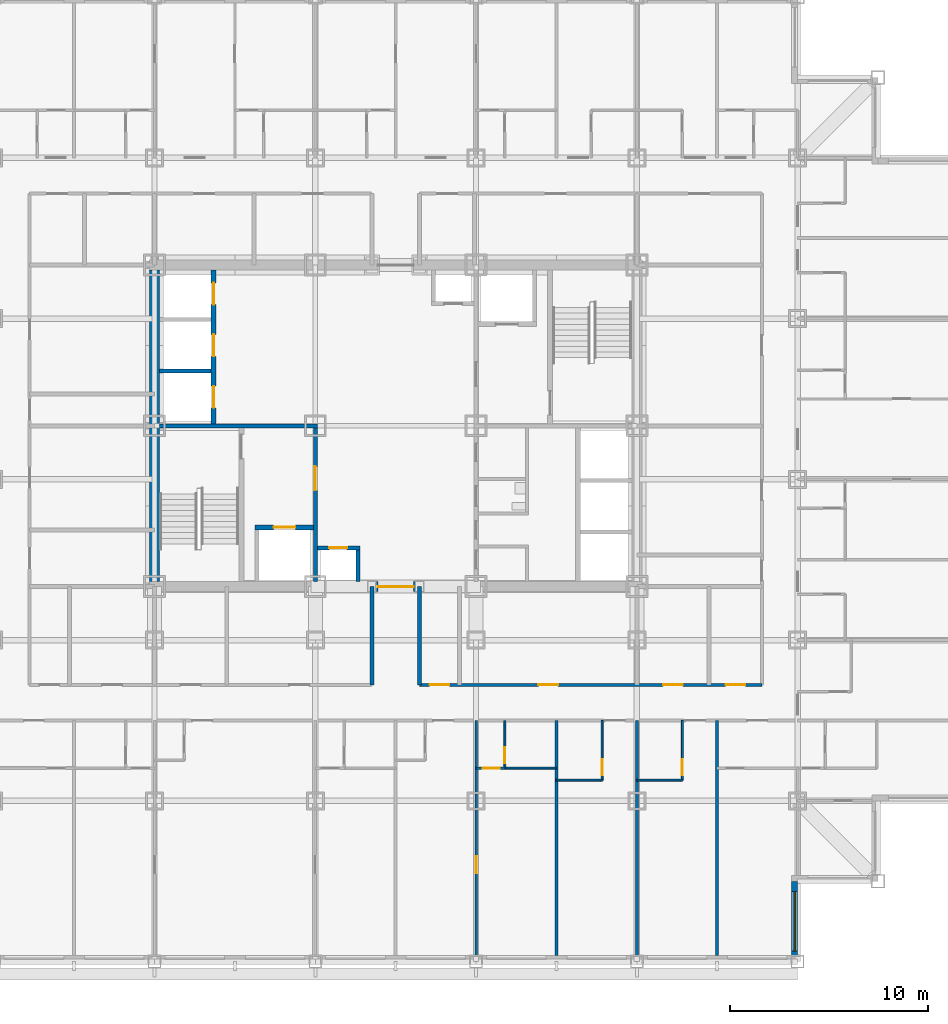
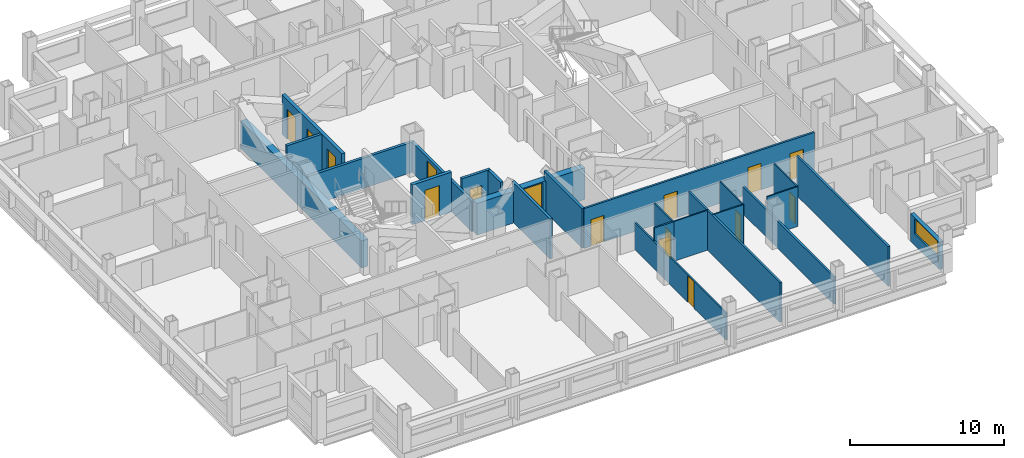
# One storey, part 7 of 15: 24 walls, 16 doors, 1 window, 17 openings.
"""IFC4 building model written with IfcOpenShell, lengths in metres."""

import ifcopenshell
import ifcopenshell.guid

model = None  # the IFC model being written
_history = None  # IfcOwnerHistory: only IFC2X3 demands one
_inside = {}  # id of a spatial element -> (the spatial element, [elements in it])
_under = {}  # id of a project, library or spatial element -> (it, [spatial elements below it])
_declared = {}  # id of a project -> (the project, [libraries it declares])
_typed = {}  # id of a type object -> (the type object, [elements of that type])
_made_of = {}  # id of a material, layer set ... -> (it, [elements and type objects made of it])


def new_model(schema):
    """Start an empty IFC model of exactly this schema.

    Asked for "IFC4X3", IfcOpenShell would pick the latest addendum, in which some entities
    have other attributes; the version numbers below select the first issue.
    IFC2X3 requires an IfcOwnerHistory on every rooted entity: one is made here for all.
    """
    global model, _history
    if schema == "IFC4X3":
        model = ifcopenshell.file(schema_version=(4, 3, 0, 0))
    else:
        model = ifcopenshell.file(schema=schema)
    _inside.clear()
    _under.clear()
    _declared.clear()
    _typed.clear()
    _made_of.clear()
    _history = None
    if model.schema == "IFC2X3":
        org = make("IfcOrganization", Name="unknown")
        user = make(
            "IfcPersonAndOrganization",
            ThePerson=make("IfcPerson", FamilyName="unknown"),
            TheOrganization=org,
        )
        app = make(
            "IfcApplication",
            ApplicationDeveloper=org,
            Version="unknown",
            ApplicationFullName="unknown",
            ApplicationIdentifier="unknown",
        )
        _history = make(
            "IfcOwnerHistory",
            OwningUser=user,
            OwningApplication=app,
            ChangeAction="ADDED",
            CreationDate=0,
        )
    return model


def make(cls, **values):
    """One entity of the class cls with the attributes given. An attribute that is None is left unset."""
    return model.create_entity(
        cls, **{name: value for name, value in values.items() if value is not None}
    )


def rooted(cls, **values):
    """An entity with a GlobalId (a new one), such as an element, a storey or a relation."""
    return make(cls, GlobalId=ifcopenshell.guid.new(), OwnerHistory=_history, **values)


def si_unit(unit_type, name, prefix=None):
    """IfcSIUnit, for example si_unit("LENGTHUNIT", "METRE", prefix="MILLI")."""
    return make("IfcSIUnit", UnitType=unit_type, Prefix=prefix, Name=name)


def assignment(units):
    """IfcUnitAssignment: the units of a project."""
    return None if units is None else make("IfcUnitAssignment", Units=units)


def point(xyz):
    """IfcCartesianPoint."""
    return None if xyz is None else make("IfcCartesianPoint", Coordinates=xyz)


def direction(xyz):
    """IfcDirection."""
    return None if xyz is None else make("IfcDirection", DirectionRatios=xyz)


def frame(location, z_axis=None, x_axis=None):
    """IfcAxis2Placement3D, a coordinate frame: its origin and axes. An axis left out is left unset."""
    return make(
        "IfcAxis2Placement3D",
        Location=point(location),
        Axis=direction(z_axis),
        RefDirection=direction(x_axis),
    )


def frame_2d(location, x_axis=None):
    """IfcAxis2Placement2D, a coordinate frame in the plane: its origin and x axis."""
    return make(
        "IfcAxis2Placement2D", Location=point(location), RefDirection=direction(x_axis)
    )


def origin():
    """The frame at (0, 0, 0) with its axes left unset."""
    return frame((0.0, 0.0, 0.0))


def place(relative_to, where):
    """IfcLocalPlacement: puts the frame where relative to a parent placement (None: the world)."""
    return make(
        "IfcLocalPlacement", PlacementRelTo=relative_to, RelativePlacement=where
    )


def context(
    kind, dimensions, precision=None, world=None, true_north=None, identifier=None
):
    """IfcGeometricRepresentationContext, for example the 3D "Model" context."""
    return make(
        "IfcGeometricRepresentationContext",
        ContextIdentifier=identifier,
        ContextType=kind,
        CoordinateSpaceDimension=dimensions,
        Precision=precision,
        WorldCoordinateSystem=world,
        TrueNorth=true_north,
    )


def subcontext(parent, identifier, kind, view, scale=None):
    """IfcGeometricRepresentationSubContext, for example "Body" below "Model"."""
    return make(
        "IfcGeometricRepresentationSubContext",
        ContextIdentifier=identifier,
        ContextType=kind,
        ParentContext=parent,
        TargetScale=scale,
        TargetView=view,
    )


def project(units=None, contexts=None):
    """IfcProject with its units and contexts."""
    return rooted(
        "IfcProject",
        Name="project",
        RepresentationContexts=contexts,
        UnitsInContext=assignment(units),
    )


def spatial(cls, under=None, at=None, **own):
    """A site, building, storey or space (cls), placed at a placement, below another one or the project."""
    s = rooted(cls, ObjectPlacement=at, **own)
    if under is not None:
        _under.setdefault(under.id(), (under, []))[1].append(s)
    return s


def profile(cls, at=None, kind="AREA", **sizes):
    """A parametric profile (cls). Its sizes go by their IFC names, for example OverallWidth=200.0."""
    return make(cls, ProfileType=kind, Position=at, **sizes)


def rectangle(**sizes):
    """IfcRectangleProfileDef."""
    return profile("IfcRectangleProfileDef", **sizes)


def extrude(swept, where, along, depth):
    """IfcExtrudedAreaSolid: the profile swept, set in the frame where, extruded along a direction by depth."""
    return make(
        "IfcExtrudedAreaSolid",
        SweptArea=swept,
        Position=where,
        ExtrudedDirection=direction(along),
        Depth=depth,
    )


def shape(context_of_items, identifier, shape_type, items):
    """IfcShapeRepresentation: the items that make up one representation, for example the "Body"."""
    return make(
        "IfcShapeRepresentation",
        ContextOfItems=context_of_items,
        RepresentationIdentifier=identifier,
        RepresentationType=shape_type,
        Items=items,
    )


def material(Name=None, Category=None):
    """IfcMaterial."""
    return make("IfcMaterial", Name=Name, Category=Category)


def layer(
    of_material, thickness, ventilated=None, Name=None, Category=None, Priority=None
):
    """IfcMaterialLayer: one layer of a wall or slab, of a material (None: an air gap)."""
    return make(
        "IfcMaterialLayer",
        Material=of_material,
        LayerThickness=thickness,
        IsVentilated=ventilated,
        Name=Name,
        Category=Category,
        Priority=Priority,
    )


def layer_set(layers, Name=None):
    """IfcMaterialLayerSet."""
    return make("IfcMaterialLayerSet", MaterialLayers=layers, LayerSetName=Name)


def made_of(thing, what):
    """Note that an element or type object is made of a material, layer set ...; save() writes the relation."""
    if what is not None:
        _made_of.setdefault(what.id(), (what, []))[1].append(thing)
    return thing


def type_object(cls, material=None, **own):
    """A type object (cls), such as IfcWallType, which elements share."""
    return made_of(rooted(cls, **own), material)


def element(
    cls,
    number,
    at=None,
    inside=None,
    cuts=None,
    type_object=None,
    material=None,
    context=None,
    identifier="Body",
    shape_type=None,
    held_by="IfcProductDefinitionShape",
    body=None,
    shapes=None,
    **own,
):
    """One element of the class cls, such as IfcWall. Its Tag is "e" and its number.

    at: its placement. inside: the storey or other place that contains it. cuts: it is an
    opening in that element (IfcRelVoidsElement). A single representation is given by context,
    identifier, shape_type and body (its items); several are given by shapes. held_by: the class
    of the entity that holds the representations. save() writes the other relations.
    """
    e = rooted(cls, Tag="e%d" % number, ObjectPlacement=at, **own)
    if body is not None:
        shapes = [shape(context, identifier, shape_type, body)]
    if shapes is not None:
        e.Representation = make(held_by, Representations=shapes)
    if inside is not None:
        _inside.setdefault(inside.id(), (inside, []))[1].append(e)
    if cuts is not None:
        rooted(
            "IfcRelVoidsElement", RelatingBuildingElement=cuts, RelatedOpeningElement=e
        )
    if type_object is not None:
        _typed.setdefault(type_object.id(), (type_object, []))[1].append(e)
    return made_of(e, material)


def fill(opening, filler):
    """IfcRelFillsElement: the door or window that sits in an opening."""
    return rooted(
        "IfcRelFillsElement",
        RelatingOpeningElement=opening,
        RelatedBuildingElement=filler,
    )


def aggregate(whole, parts):
    """IfcRelAggregates: a whole, such as a stair, and the parts it consists of."""
    return rooted("IfcRelAggregates", RelatingObject=whole, RelatedObjects=parts)


def save(model, path):
    """Write the relations noted so far, then the file.

    IfcRelAggregates (storeys below a building ...), IfcRelContainedInSpatialStructure (elements
    in a storey), IfcRelDefinesByType, IfcRelAssociatesMaterial and IfcRelDeclares: one each for
    every whole, place, type object, material and project.
    """
    for whole, parts in _under.values():
        aggregate(whole, parts)
    for where, things in _inside.values():
        rooted(
            "IfcRelContainedInSpatialStructure",
            RelatedElements=things,
            RelatingStructure=where,
        )
    for kind, things in _typed.values():
        rooted("IfcRelDefinesByType", RelatedObjects=things, RelatingType=kind)
    for what, things in _made_of.values():
        rooted("IfcRelAssociatesMaterial", RelatedObjects=things, RelatingMaterial=what)
    for by, libraries in _declared.values():
        rooted("IfcRelDeclares", RelatingContext=by, RelatedDefinitions=libraries)
    model.write(path)


model = new_model("IFC4")

# Units and contexts
model_context = context("Model", 3, precision=1e-05, world=origin(), true_north=direction((0.0, 1.0)))
body_context = subcontext(model_context, "Body", "Model", "MODEL_VIEW")
ifc_project = project(units=[si_unit("LENGTHUNIT", "METRE"), si_unit("AREAUNIT", "SQUARE_METRE"), si_unit("VOLUMEUNIT", "CUBIC_METRE"), si_unit("PLANEANGLEUNIT", "RADIAN"), si_unit("MASSUNIT", "GRAM", prefix="KILO")], contexts=[model_context])

# Site, building, storey
site_placement = place(None, origin())
site = spatial("IfcSite", under=ifc_project, at=site_placement, CompositionType="ELEMENT")
building_placement = place(site_placement, origin())
building = spatial("IfcBuilding", under=site, at=building_placement, Name="Kopane Lantern Tower", CompositionType="ELEMENT")
storey_placement = place(building_placement, frame((0.0, 0.0, 154.39990234375)))
storey = spatial("IfcBuildingStorey", under=building, at=storey_placement, Name="L40", CompositionType="ELEMENT", Elevation=154.39990234375)

# Wall, opening, door
ifc_material_1 = material(Name="Gypsum board on steel studs", Category="steel")
ifc_layer_1 = layer(ifc_material_1, 0.1201171875)
ifc_layer_set_1 = layer_set([ifc_layer_1], Name="APARTMENT INTERNAL WALL 120")
wall_type_1 = type_object("IfcWallType", Name="APARTMENT INTERNAL WALL 120", PredefinedType="PARTITIONING", material=ifc_layer_set_1)
wall_1_placement = place(storey_placement, frame((32.39990234375, 17.550048828125, 0.0), z_axis=(0.0, 0.0, 1.0), x_axis=(0.0, -1.0, 0.0)))
wall_1 = element("IfcWall", 1, at=wall_1_placement, inside=storey, type_object=wall_type_1, Name="Apartment Internal Wall 120 L40", PredefinedType="PARTITIONING", context=body_context, shape_type="SweptSolid", body=[
    extrude(rectangle(XDim=11.85009765625, YDim=0.1201171875, at=frame_2d((5.925048828125, 0.0))), origin(), (0.0, 0.0, 1.0), 2.150146484375),
])
opening_1_placement = place(wall_1_placement, frame((6.85009765625, 0.0, 0.0)))
opening_1 = element("IfcOpeningElement", 2, at=opening_1_placement, cuts=wall_1, Name="Opening L40-032", PredefinedType="OPENING", context=body_context, shape_type="SweptSolid", body=[
    extrude(rectangle(XDim=0.85009765625, YDim=2.10009765625, at=frame_2d((0.425048828125, 1.050048828125))), frame((0.0, 0.070068359375, 0.0), z_axis=(0.0, -1.0, 0.0), x_axis=(1.0, 0.0, 0.0)), (0.0, 0.0, 1.0), 0.14013671875),
])
ifc_material_2 = material(Name="Timber door set", Category="wood")
door_type_1 = type_object("IfcDoorType", Name="DOOR D4 850x2100", OperationType="SINGLE_SWING_LEFT", PredefinedType="DOOR", material=ifc_material_2)
door_1_placement = place(opening_1_placement, origin())
door_1 = element("IfcDoor", 3, at=door_1_placement, inside=storey, type_object=door_type_1, Name="Door L40-032", OperationType="SINGLE_SWING_LEFT", OverallHeight=2.10009765625, OverallWidth=0.85009765625, PredefinedType="DOOR", context=body_context, shape_type="SweptSolid", body=[
    extrude(rectangle(XDim=0.85009765625, YDim=2.10009765625, at=frame_2d((0.425048828125, 1.050048828125))), frame((0.0, 0.02490234375, 0.0), z_axis=(0.0, -1.0, 0.0), x_axis=(1.0, 0.0, 0.0)), (0.0, 0.0, 1.0), 0.050048828125),
])
fill(opening_1, door_1)

wall_2_placement = place(storey_placement, frame((33.860107421875, 15.14990234375, 0.0), z_axis=(0.0, 0.0, 1.0), x_axis=(-1.0, 0.0, 0.0)))
wall_2 = element("IfcWall", 4, at=wall_2_placement, inside=storey, type_object=wall_type_1, Name="Apartment Internal Wall 120 L40", PredefinedType="PARTITIONING", context=body_context, shape_type="SweptSolid", body=[
    extrude(rectangle(XDim=1.460205078125, YDim=0.1201171875, at=frame_2d((0.72998046875, 0.0))), origin(), (0.0, 0.0, 1.0), 3.150146484375),
])
opening_2_placement = place(wall_2_placement, frame((0.27490234375, 0.0, 0.0)))
opening_2 = element("IfcOpeningElement", 5, at=opening_2_placement, cuts=wall_2, Name="Opening L40-094", PredefinedType="OPENING", context=body_context, shape_type="SweptSolid", body=[
    extrude(rectangle(XDim=0.85009765625, YDim=2.10009765625, at=frame_2d((0.425048828125, 1.050048828125))), frame((0.0, 0.070068359375, 0.0), z_axis=(0.0, -1.0, 0.0), x_axis=(1.0, 0.0, 0.0)), (0.0, 0.0, 1.0), 0.14013671875),
])
door_2_placement = place(opening_2_placement, origin())
door_2 = element("IfcDoor", 6, at=door_2_placement, inside=storey, type_object=door_type_1, Name="Door L40-094", OperationType="SINGLE_SWING_RIGHT", OverallHeight=2.10009765625, OverallWidth=0.85009765625, PredefinedType="DOOR", context=body_context, shape_type="SweptSolid", body=[
    extrude(rectangle(XDim=0.85009765625, YDim=2.10009765625, at=frame_2d((0.425048828125, 1.050048828125))), frame((0.0, 0.02490234375, 0.0), z_axis=(0.0, -1.0, 0.0), x_axis=(1.0, 0.0, 0.0)), (0.0, 0.0, 1.0), 0.050048828125),
])
fill(opening_2, door_2)

# Wall
ifc_material_3 = material(Name="Moisture-resistant board on steel studs", Category="steel")
ifc_layer_2 = layer(ifc_material_3, 0.10009765625)
ifc_layer_set_2 = layer_set([ifc_layer_2], Name="BATHROOM WALL 100")
wall_type_2 = type_object("IfcWallType", Name="BATHROOM WALL 100", PredefinedType="PARTITIONING", material=ifc_layer_set_2)
wall_3_placement = place(storey_placement, frame((33.85009765625, 15.14990234375, 0.0), z_axis=(0.0, 0.0, 1.0), x_axis=(1.0, 0.0, 0.0)))
element("IfcWall", 7, at=wall_3_placement, inside=storey, type_object=wall_type_2, Name="Bathroom Wall 100 L40", PredefinedType="PARTITIONING", context=body_context, shape_type="SweptSolid", body=[
    extrude(rectangle(XDim=2.599853515625, YDim=0.10009765625, at=frame_2d((1.2998046875, 0.0))), origin(), (0.0, 0.0, 1.0), 3.150146484375),
])

# Wall, opening, door
wall_4_placement = place(storey_placement, frame((33.85009765625, 17.550048828125, 0.0), z_axis=(0.0, 0.0, 1.0), x_axis=(0.0, -1.0, 0.0)))
wall_4 = element("IfcWall", 8, at=wall_4_placement, inside=storey, type_object=wall_type_2, Name="Bathroom Wall 100 L40", PredefinedType="PARTITIONING", context=body_context, shape_type="SweptSolid", body=[
    extrude(rectangle(XDim=2.400146484375, YDim=0.10009765625, at=frame_2d((1.2001953125, 0.0))), origin(), (0.0, 0.0, 1.0), 3.150146484375),
])
opening_3_placement = place(wall_4_placement, frame((1.35009765625, 0.0, 0.0)))
opening_3 = element("IfcOpeningElement", 9, at=opening_3_placement, cuts=wall_4, Name="Opening L40-031", PredefinedType="OPENING", context=body_context, shape_type="SweptSolid", body=[
    extrude(rectangle(XDim=0.800048828125, YDim=2.10009765625, at=frame_2d((0.39990234375, 1.050048828125))), frame((0.0, 0.06005859375, 0.0), z_axis=(0.0, -1.0, 0.0), x_axis=(1.0, 0.0, 0.0)), (0.0, 0.0, 1.0), 0.1201171875),
])
ifc_material_4 = material(Name="Timber door set", Category="wood")
door_type_2 = type_object("IfcDoorType", Name="DOOR D2 800x2100", OperationType="SINGLE_SWING_LEFT", PredefinedType="DOOR", material=ifc_material_4)
door_3_placement = place(opening_3_placement, origin())
door_3 = element("IfcDoor", 10, at=door_3_placement, inside=storey, type_object=door_type_2, Name="Door L40-031", OperationType="SINGLE_SWING_LEFT", OverallHeight=2.10009765625, OverallWidth=0.800048828125, PredefinedType="DOOR", context=body_context, shape_type="SweptSolid", body=[
    extrude(rectangle(XDim=0.800048828125, YDim=2.10009765625, at=frame_2d((0.39990234375, 1.050048828125))), frame((0.0, 0.02490234375, 0.0), z_axis=(0.0, -1.0, 0.0), x_axis=(1.0, 0.0, 0.0)), (0.0, 0.0, 1.0), 0.050048828125),
])
fill(opening_3, door_3)

# Wall
wall_5_placement = place(storey_placement, frame((36.449951171875, 14.550048828125, 0.0), z_axis=(0.0, 0.0, 1.0), x_axis=(1.0, 0.0, 0.0)))
element("IfcWall", 11, at=wall_5_placement, inside=storey, type_object=wall_type_2, Name="Bathroom Wall 100 L40", PredefinedType="PARTITIONING", context=body_context, shape_type="SweptSolid", body=[
    extrude(rectangle(XDim=2.300048828125, YDim=0.10009765625, at=frame_2d((1.14990234375, 0.0))), origin(), (0.0, 0.0, 1.0), 3.150146484375),
])

# Wall, opening, door
wall_6_placement = place(storey_placement, frame((38.75, 17.550048828125, 0.0), z_axis=(0.0, 0.0, 1.0), x_axis=(0.0, -1.0, 0.0)))
wall_6 = element("IfcWall", 12, at=wall_6_placement, inside=storey, type_object=wall_type_2, Name="Bathroom Wall 100 L40", PredefinedType="PARTITIONING", context=body_context, shape_type="SweptSolid", body=[
    extrude(rectangle(XDim=3.0, YDim=0.10009765625, at=frame_2d((1.5, 0.0))), origin(), (0.0, 0.0, 1.0), 3.150146484375),
])
opening_4_placement = place(wall_6_placement, frame((1.949951171875, 0.0, 0.0)))
opening_4 = element("IfcOpeningElement", 13, at=opening_4_placement, cuts=wall_6, Name="Opening L40-033", PredefinedType="OPENING", context=body_context, shape_type="SweptSolid", body=[
    extrude(rectangle(XDim=0.800048828125, YDim=2.10009765625, at=frame_2d((0.39990234375, 1.050048828125))), frame((0.0, 0.06005859375, 0.0), z_axis=(0.0, -1.0, 0.0), x_axis=(1.0, 0.0, 0.0)), (0.0, 0.0, 1.0), 0.1201171875),
])
door_4_placement = place(opening_4_placement, origin())
door_4 = element("IfcDoor", 14, at=door_4_placement, inside=storey, type_object=door_type_2, Name="Door L40-033", OperationType="SINGLE_SWING_LEFT", OverallHeight=2.10009765625, OverallWidth=0.800048828125, PredefinedType="DOOR", context=body_context, shape_type="SweptSolid", body=[
    extrude(rectangle(XDim=0.800048828125, YDim=2.10009765625, at=frame_2d((0.39990234375, 1.050048828125))), frame((0.0, 0.02490234375, 0.0), z_axis=(0.0, -1.0, 0.0), x_axis=(1.0, 0.0, 0.0)), (0.0, 0.0, 1.0), 0.050048828125),
])
fill(opening_4, door_4)

# Wall
wall_7_placement = place(storey_placement, frame((40.5, 14.550048828125, 0.0), z_axis=(0.0, 0.0, 1.0), x_axis=(1.0, 0.0, 0.0)))
element("IfcWall", 15, at=wall_7_placement, inside=storey, type_object=wall_type_2, Name="Bathroom Wall 100 L40", PredefinedType="PARTITIONING", context=body_context, shape_type="SweptSolid", body=[
    extrude(rectangle(XDim=2.300048828125, YDim=0.10009765625, at=frame_2d((1.14990234375, 0.0))), origin(), (0.0, 0.0, 1.0), 3.150146484375),
])

# Wall, opening, door
wall_8_placement = place(storey_placement, frame((42.800048828125, 17.550048828125, 0.0), z_axis=(0.0, 0.0, 1.0), x_axis=(0.0, -1.0, 0.0)))
wall_8 = element("IfcWall", 16, at=wall_8_placement, inside=storey, type_object=wall_type_2, Name="Bathroom Wall 100 L40", PredefinedType="PARTITIONING", context=body_context, shape_type="SweptSolid", body=[
    extrude(rectangle(XDim=3.0, YDim=0.10009765625, at=frame_2d((1.5, 0.0))), origin(), (0.0, 0.0, 1.0), 3.150146484375),
])
opening_5_placement = place(wall_8_placement, frame((1.949951171875, 0.0, 0.0)))
opening_5 = element("IfcOpeningElement", 17, at=opening_5_placement, cuts=wall_8, Name="Opening L40-035", PredefinedType="OPENING", context=body_context, shape_type="SweptSolid", body=[
    extrude(rectangle(XDim=0.800048828125, YDim=2.10009765625, at=frame_2d((0.39990234375, 1.050048828125))), frame((0.0, 0.06005859375, 0.0), z_axis=(0.0, -1.0, 0.0), x_axis=(1.0, 0.0, 0.0)), (0.0, 0.0, 1.0), 0.1201171875),
])
door_5_placement = place(opening_5_placement, origin())
door_5 = element("IfcDoor", 18, at=door_5_placement, inside=storey, type_object=door_type_2, Name="Door L40-035", OperationType="SINGLE_SWING_LEFT", OverallHeight=2.10009765625, OverallWidth=0.800048828125, PredefinedType="DOOR", context=body_context, shape_type="SweptSolid", body=[
    extrude(rectangle(XDim=0.800048828125, YDim=2.10009765625, at=frame_2d((0.39990234375, 1.050048828125))), frame((0.0, 0.02490234375, 0.0), z_axis=(0.0, -1.0, 0.0), x_axis=(1.0, 0.0, 0.0)), (0.0, 0.0, 1.0), 0.050048828125),
])
fill(opening_5, door_5)

ifc_material_5 = material(Name="Gypsum shaft wall EI 120", Category="gypsum")
ifc_layer_3 = layer(ifc_material_5, 0.5)
ifc_layer_set_3 = layer_set([ifc_layer_3], Name="CORE PERIMETER WALL 500 EI 120")
wall_type_3 = type_object("IfcWallType", Name="CORE PERIMETER WALL 500 EI 120", PredefinedType="SOLIDWALL", material=ifc_layer_set_3)
wall_9_placement = place(storey_placement, frame((24.300048828125, 24.300048828125, 0.0), z_axis=(0.0, 0.0, 1.0), x_axis=(1.0, 0.0, 0.0)))
wall_9 = element("IfcWall", 19, at=wall_9_placement, inside=storey, type_object=wall_type_3, Name="Core shaft wall L40 PS", PredefinedType="SOLIDWALL", context=body_context, shape_type="SweptSolid", body=[
    extrude(rectangle(XDim=8.099853515625, YDim=0.5, at=frame_2d((4.0498046875, 0.0))), origin(), (0.0, 0.0, 1.0), 2.5),
])
opening_6_placement = place(wall_9_placement, frame((3.14990234375, 0.0, 0.0)))
opening_6 = element("IfcOpeningElement", 20, at=opening_6_placement, cuts=wall_9, Name="Opening 40.CE-S", PredefinedType="OPENING", context=body_context, shape_type="SweptSolid", body=[
    extrude(rectangle(XDim=1.800048828125, YDim=2.39990234375, at=frame_2d((0.89990234375, 1.199951171875))), frame((0.0, 0.260009765625, 0.0), z_axis=(0.0, -1.0, 0.0), x_axis=(1.0, 0.0, 0.0)), (0.0, 0.0, 1.0), 0.52001953125),
])
ifc_material_6 = material(Name="Steel door set", Category="steel")
door_type_3 = type_object("IfcDoorType", Name="CORE ENTRY DOOR 1800x2400 FD60S", OperationType="DOUBLE_DOOR_SINGLE_SWING", PredefinedType="DOOR", material=ifc_material_6)
door_6_placement = place(opening_6_placement, origin())
door_6 = element("IfcDoor", 21, at=door_6_placement, inside=storey, type_object=door_type_3, Name="Core entry door L40 south", OperationType="DOUBLE_DOOR_SINGLE_SWING", OverallHeight=2.39990234375, OverallWidth=1.800048828125, PredefinedType="DOOR", context=body_context, shape_type="SweptSolid", body=[
    extrude(rectangle(XDim=1.800048828125, YDim=2.39990234375, at=frame_2d((0.89990234375, 1.199951171875))), frame((0.0, 0.02490234375, 0.0), z_axis=(0.0, -1.0, 0.0), x_axis=(1.0, 0.0, 0.0)), (0.0, 0.0, 1.0), 0.050048828125),
])
fill(opening_6, door_6)

# Wall
wall_10_placement = place(storey_placement, frame((16.199951171875, 24.550048828125, 0.0), z_axis=(0.0, 0.0, 1.0), x_axis=(0.0, 1.0, 0.0)))
element("IfcWall", 22, at=wall_10_placement, inside=storey, type_object=wall_type_3, Name="Core shaft wall L40 PW", PredefinedType="SOLIDWALL", context=body_context, shape_type="SweptSolid", body=[
    extrude(rectangle(XDim=15.699951171875, YDim=0.5, at=frame_2d((7.85009765625, 0.0))), origin(), (0.0, 0.0, 1.0), 2.150146484375),
])

# Wall, opening, door
ifc_material_7 = material(Name="Gypsum shaft wall EI 120", Category="gypsum")
ifc_layer_4 = layer(ifc_material_7, 0.25)
ifc_layer_set_4 = layer_set([ifc_layer_4], Name="CORE SHAFT WALL 250 EI 120")
wall_type_4 = type_object("IfcWallType", Name="CORE SHAFT WALL 250 EI 120", PredefinedType="SOLIDWALL", material=ifc_layer_set_4)
wall_11_placement = place(storey_placement, frame((21.25, 27.27490234375, 0.0), z_axis=(0.0, 0.0, 1.0), x_axis=(1.0, 0.0, 0.0)))
wall_11 = element("IfcWall", 23, at=wall_11_placement, inside=storey, type_object=wall_type_4, Name="Core shaft wall L40 YLF1", PredefinedType="SOLIDWALL", context=body_context, shape_type="SweptSolid", body=[
    extrude(rectangle(XDim=2.949951171875, YDim=0.25, at=frame_2d((1.47509765625, 0.0))), origin(), (0.0, 0.0, 1.0), 3.150146484375),
])
opening_7_placement = place(wall_11_placement, frame((0.949951171875, 0.0, 0.0)))
opening_7 = element("IfcOpeningElement", 24, at=opening_7_placement, cuts=wall_11, Name="Opening 40.LD-LF1", PredefinedType="OPENING", context=body_context, shape_type="SweptSolid", body=[
    extrude(rectangle(XDim=1.10009765625, YDim=2.39990234375, at=frame_2d((0.550048828125, 1.199951171875))), frame((0.0, 0.135009765625, 0.0), z_axis=(0.0, -1.0, 0.0), x_axis=(1.0, 0.0, 0.0)), (0.0, 0.0, 1.0), 0.27001953125),
])
ifc_material_8 = material(Name="Steel door set", Category="steel")
door_type_4 = type_object("IfcDoorType", Name="LIFT LANDING DOOR 1100x2400 FD60", OperationType="DOUBLE_DOOR_SLIDING", PredefinedType="DOOR", material=ifc_material_8)
door_7_placement = place(opening_7_placement, origin())
door_7 = element("IfcDoor", 25, at=door_7_placement, inside=storey, type_object=door_type_4, Name="Landing door LF1 L40", OperationType="DOUBLE_DOOR_SLIDING", OverallHeight=2.39990234375, OverallWidth=1.10009765625, PredefinedType="DOOR", context=body_context, shape_type="SweptSolid", body=[
    extrude(rectangle(XDim=1.10009765625, YDim=2.39990234375, at=frame_2d((0.550048828125, 1.199951171875))), frame((0.0, 0.02490234375, 0.0), z_axis=(0.0, -1.0, 0.0), x_axis=(1.0, 0.0, 0.0)), (0.0, 0.0, 1.0), 0.050048828125),
])
fill(opening_7, door_7)

# Wall, openings, doors
wall_12_placement = place(storey_placement, frame((19.175048828125, 32.5, 0.0), z_axis=(0.0, 0.0, 1.0), x_axis=(0.0, 1.0, 0.0)))
wall_12 = element("IfcWall", 26, at=wall_12_placement, inside=storey, type_object=wall_type_4, Name="Core shaft wall L40 XLH", PredefinedType="SOLIDWALL", context=body_context, shape_type="SweptSolid", body=[
    extrude(rectangle(XDim=7.75, YDim=0.25, at=frame_2d((3.875, 0.0))), origin(), (0.0, 0.0, 1.0), 3.150146484375),
])
opening_8_placement = place(wall_12_placement, frame((0.800048828125, 0.0, 0.0)))
opening_8 = element("IfcOpeningElement", 27, at=opening_8_placement, cuts=wall_12, Name="Opening 40.LD-LH1", PredefinedType="OPENING", context=body_context, shape_type="SweptSolid", body=[
    extrude(rectangle(XDim=1.10009765625, YDim=2.39990234375, at=frame_2d((0.550048828125, 1.199951171875))), frame((0.0, 0.135009765625, 0.0), z_axis=(0.0, -1.0, 0.0), x_axis=(1.0, 0.0, 0.0)), (0.0, 0.0, 1.0), 0.27001953125),
])
opening_9_placement = place(wall_12_placement, frame((3.39990234375, 0.0, 0.0)))
opening_9 = element("IfcOpeningElement", 28, at=opening_9_placement, cuts=wall_12, Name="Opening 40.LD-LH2", PredefinedType="OPENING", context=body_context, shape_type="SweptSolid", body=[
    extrude(rectangle(XDim=1.10009765625, YDim=2.39990234375, at=frame_2d((0.550048828125, 1.199951171875))), frame((0.0, 0.135009765625, 0.0), z_axis=(0.0, -1.0, 0.0), x_axis=(1.0, 0.0, 0.0)), (0.0, 0.0, 1.0), 0.27001953125),
])
opening_10_placement = place(wall_12_placement, frame((6.0, 0.0, 0.0)))
opening_10 = element("IfcOpeningElement", 29, at=opening_10_placement, cuts=wall_12, Name="Opening 40.LD-LH3", PredefinedType="OPENING", context=body_context, shape_type="SweptSolid", body=[
    extrude(rectangle(XDim=1.10009765625, YDim=2.39990234375, at=frame_2d((0.550048828125, 1.199951171875))), frame((0.0, 0.135009765625, 0.0), z_axis=(0.0, -1.0, 0.0), x_axis=(1.0, 0.0, 0.0)), (0.0, 0.0, 1.0), 0.27001953125),
])
door_8_placement = place(opening_8_placement, origin())
door_8 = element("IfcDoor", 30, at=door_8_placement, inside=storey, type_object=door_type_4, Name="Landing door LH1 L40", OperationType="DOUBLE_DOOR_SLIDING", OverallHeight=2.39990234375, OverallWidth=1.10009765625, PredefinedType="DOOR", context=body_context, shape_type="SweptSolid", body=[
    extrude(rectangle(XDim=1.10009765625, YDim=2.39990234375, at=frame_2d((0.550048828125, 1.199951171875))), frame((0.0, 0.02490234375, 0.0), z_axis=(0.0, -1.0, 0.0), x_axis=(1.0, 0.0, 0.0)), (0.0, 0.0, 1.0), 0.050048828125),
])
fill(opening_8, door_8)
door_9_placement = place(opening_9_placement, origin())
door_9 = element("IfcDoor", 31, at=door_9_placement, inside=storey, type_object=door_type_4, Name="Landing door LH2 L40", OperationType="DOUBLE_DOOR_SLIDING", OverallHeight=2.39990234375, OverallWidth=1.10009765625, PredefinedType="DOOR", context=body_context, shape_type="SweptSolid", body=[
    extrude(rectangle(XDim=1.10009765625, YDim=2.39990234375, at=frame_2d((0.550048828125, 1.199951171875))), frame((0.0, 0.02490234375, 0.0), z_axis=(0.0, -1.0, 0.0), x_axis=(1.0, 0.0, 0.0)), (0.0, 0.0, 1.0), 0.050048828125),
])
fill(opening_9, door_9)
door_10_placement = place(opening_10_placement, origin())
door_10 = element("IfcDoor", 32, at=door_10_placement, inside=storey, type_object=door_type_4, Name="Landing door LH3 L40", OperationType="DOUBLE_DOOR_SLIDING", OverallHeight=2.39990234375, OverallWidth=1.10009765625, PredefinedType="DOOR", context=body_context, shape_type="SweptSolid", body=[
    extrude(rectangle(XDim=1.10009765625, YDim=2.39990234375, at=frame_2d((0.550048828125, 1.199951171875))), frame((0.0, 0.02490234375, 0.0), z_axis=(0.0, -1.0, 0.0), x_axis=(1.0, 0.0, 0.0)), (0.0, 0.0, 1.0), 0.050048828125),
])
fill(opening_10, door_10)

ifc_material_9 = material(Name="Gypsum board on steel studs", Category="steel")
ifc_layer_5 = layer(ifc_material_9, 0.14990234375)
ifc_layer_set_5 = layer_set([ifc_layer_5], Name="CORRIDOR WALL 150 EI 60")
wall_type_5 = type_object("IfcWallType", Name="CORRIDOR WALL 150 EI 60", PredefinedType="PARTITIONING", material=ifc_layer_set_5)
wall_13_placement = place(storey_placement, frame((29.56005859375, 19.35009765625, 0.0), z_axis=(0.0, 0.0, 1.0), x_axis=(1.0, 0.0, 0.0)))
wall_13 = element("IfcWall", 33, at=wall_13_placement, inside=storey, type_object=wall_type_5, Name="Corridor Wall 150 Ei 60 L40", PredefinedType="PARTITIONING", context=body_context, shape_type="SweptSolid", body=[
    extrude(rectangle(XDim=17.239990234375, YDim=0.14990234375, at=frame_2d((8.6201171875, 0.0))), origin(), (0.0, 0.0, 1.0), 3.150146484375),
])
opening_11_placement = place(wall_13_placement, frame((0.5, 0.0, 0.0)))
opening_11 = element("IfcOpeningElement", 34, at=opening_11_placement, cuts=wall_13, Name="Opening L40-012", PredefinedType="OPENING", context=body_context, shape_type="SweptSolid", body=[
    extrude(rectangle(XDim=1.0, YDim=2.10009765625, at=frame_2d((0.5, 1.050048828125))), frame((0.0, 0.0849609375, 0.0), z_axis=(0.0, -1.0, 0.0), x_axis=(1.0, 0.0, 0.0)), (0.0, 0.0, 1.0), 0.169921875),
])
opening_12_placement = place(wall_13_placement, frame((5.97509765625, 0.0, 0.0)))
opening_12 = element("IfcOpeningElement", 35, at=opening_12_placement, cuts=wall_13, Name="Opening L40-013", PredefinedType="OPENING", context=body_context, shape_type="SweptSolid", body=[
    extrude(rectangle(XDim=1.0, YDim=2.10009765625, at=frame_2d((0.5, 1.050048828125))), frame((0.0, 0.0849609375, 0.0), z_axis=(0.0, -1.0, 0.0), x_axis=(1.0, 0.0, 0.0)), (0.0, 0.0, 1.0), 0.169921875),
])
opening_13_placement = place(wall_13_placement, frame((12.25830078125, 0.0, 0.0)))
opening_13 = element("IfcOpeningElement", 36, at=opening_13_placement, cuts=wall_13, Name="Opening L40-014", PredefinedType="OPENING", context=body_context, shape_type="SweptSolid", body=[
    extrude(rectangle(XDim=1.0, YDim=2.10009765625, at=frame_2d((0.5, 1.050048828125))), frame((0.0, 0.0849609375, 0.0), z_axis=(0.0, -1.0, 0.0), x_axis=(1.0, 0.0, 0.0)), (0.0, 0.0, 1.0), 0.169921875),
])
opening_14_placement = place(wall_13_placement, frame((15.408203125, 0.0, 0.0)))
opening_14 = element("IfcOpeningElement", 37, at=opening_14_placement, cuts=wall_13, Name="Opening L40-015", PredefinedType="OPENING", context=body_context, shape_type="SweptSolid", body=[
    extrude(rectangle(XDim=1.0, YDim=2.10009765625, at=frame_2d((0.5, 1.050048828125))), frame((0.0, 0.0849609375, 0.0), z_axis=(0.0, -1.0, 0.0), x_axis=(1.0, 0.0, 0.0)), (0.0, 0.0, 1.0), 0.169921875),
])
ifc_material_10 = material(Name="Steel door set", Category="steel")
door_type_5 = type_object("IfcDoorType", Name="DOOR D5 1000x2100 FD60", OperationType="SINGLE_SWING_LEFT", PredefinedType="DOOR", material=ifc_material_10)
door_11_placement = place(opening_11_placement, origin())
door_11 = element("IfcDoor", 38, at=door_11_placement, inside=storey, type_object=door_type_5, Name="Door L40-012", OperationType="SINGLE_SWING_LEFT", OverallHeight=2.10009765625, OverallWidth=1.0, PredefinedType="DOOR", context=body_context, shape_type="SweptSolid", body=[
    extrude(rectangle(XDim=1.0, YDim=2.10009765625, at=frame_2d((0.5, 1.050048828125))), frame((0.0, 0.02490234375, 0.0), z_axis=(0.0, -1.0, 0.0), x_axis=(1.0, 0.0, 0.0)), (0.0, 0.0, 1.0), 0.050048828125),
])
fill(opening_11, door_11)
door_12_placement = place(opening_12_placement, origin())
door_12 = element("IfcDoor", 39, at=door_12_placement, inside=storey, type_object=door_type_5, Name="Door L40-013", OperationType="SINGLE_SWING_RIGHT", OverallHeight=2.10009765625, OverallWidth=1.0, PredefinedType="DOOR", context=body_context, shape_type="SweptSolid", body=[
    extrude(rectangle(XDim=1.0, YDim=2.10009765625, at=frame_2d((0.5, 1.050048828125))), frame((0.0, 0.02490234375, 0.0), z_axis=(0.0, -1.0, 0.0), x_axis=(1.0, 0.0, 0.0)), (0.0, 0.0, 1.0), 0.050048828125),
])
fill(opening_12, door_12)
door_13_placement = place(opening_13_placement, origin())
door_13 = element("IfcDoor", 40, at=door_13_placement, inside=storey, type_object=door_type_5, Name="Door L40-014", OperationType="SINGLE_SWING_LEFT", OverallHeight=2.10009765625, OverallWidth=1.0, PredefinedType="DOOR", context=body_context, shape_type="SweptSolid", body=[
    extrude(rectangle(XDim=1.0, YDim=2.10009765625, at=frame_2d((0.5, 1.050048828125))), frame((0.0, 0.02490234375, 0.0), z_axis=(0.0, -1.0, 0.0), x_axis=(1.0, 0.0, 0.0)), (0.0, 0.0, 1.0), 0.050048828125),
])
fill(opening_13, door_13)
door_14_placement = place(opening_14_placement, origin())
door_14 = element("IfcDoor", 41, at=door_14_placement, inside=storey, type_object=door_type_5, Name="Door L40-015", OperationType="SINGLE_SWING_RIGHT", OverallHeight=2.10009765625, OverallWidth=1.0, PredefinedType="DOOR", context=body_context, shape_type="SweptSolid", body=[
    extrude(rectangle(XDim=1.0, YDim=2.10009765625, at=frame_2d((0.5, 1.050048828125))), frame((0.0, 0.02490234375, 0.0), z_axis=(0.0, -1.0, 0.0), x_axis=(1.0, 0.0, 0.0)), (0.0, 0.0, 1.0), 0.050048828125),
])
fill(opening_14, door_14)

# Walls
ifc_material_11 = material(Name="Gypsum board on steel studs", Category="steel")
ifc_layer_6 = layer(ifc_material_11, 0.14990234375)
ifc_layer_set_6 = layer_set([ifc_layer_6], Name="DEMISING WALL 150 EI 60")
wall_type_6 = type_object("IfcWallType", Name="DEMISING WALL 150 EI 60", PredefinedType="PARTITIONING", material=ifc_layer_set_6)
wall_14_placement = place(storey_placement, frame((36.449951171875, 17.550048828125, 0.0), z_axis=(0.0, 0.0, 1.0), x_axis=(0.0, -1.0, 0.0)))
element("IfcWall", 42, at=wall_14_placement, inside=storey, type_object=wall_type_6, Name="Demising Wall 150 Ei 60 L40", PredefinedType="PARTITIONING", context=body_context, shape_type="SweptSolid", body=[
    extrude(rectangle(XDim=11.85009765625, YDim=0.14990234375, at=frame_2d((5.925048828125, 0.0))), origin(), (0.0, 0.0, 1.0), 3.150146484375),
])
wall_15_placement = place(storey_placement, frame((40.5, 17.550048828125, 0.0), z_axis=(0.0, 0.0, 1.0), x_axis=(0.0, -1.0, 0.0)))
element("IfcWall", 43, at=wall_15_placement, inside=storey, type_object=wall_type_6, Name="Demising Wall 150 Ei 60 L40", PredefinedType="PARTITIONING", context=body_context, shape_type="SweptSolid", body=[
    extrude(rectangle(XDim=11.85009765625, YDim=0.14990234375, at=frame_2d((5.925048828125, 0.0))), origin(), (0.0, 0.0, 1.0), 2.150146484375),
])
wall_16_placement = place(storey_placement, frame((44.550048828125, 17.550048828125, 0.0), z_axis=(0.0, 0.0, 1.0), x_axis=(0.0, -1.0, 0.0)))
element("IfcWall", 44, at=wall_16_placement, inside=storey, type_object=wall_type_6, Name="Demising Wall 150 Ei 60 L40", PredefinedType="PARTITIONING", context=body_context, shape_type="SweptSolid", body=[
    extrude(rectangle(XDim=11.85009765625, YDim=0.14990234375, at=frame_2d((5.925048828125, 0.0))), origin(), (0.0, 0.0, 1.0), 3.150146484375),
])

# Wall, opening, window
ifc_material_12 = material(Name="Terracotta rainscreen on light steel framing", Category="masonry")
ifc_layer_7 = layer(ifc_material_12, 0.300048828125)
ifc_layer_set_7 = layer_set([ifc_layer_7], Name="EXTERNAL WALL EW1 300 TERRACOTTA")
wall_type_7 = type_object("IfcWallType", Name="EXTERNAL WALL EW1 300 TERRACOTTA", PredefinedType="SOLIDWALL", material=ifc_layer_set_7)
wall_17_placement = place(storey_placement, frame((48.449951171875, 5.699951171875, 0.0), z_axis=(0.0, 0.0, 1.0), x_axis=(0.0, 1.0, 0.0)))
wall_17 = element("IfcWall", 45, at=wall_17_placement, inside=storey, type_object=wall_type_7, Name="External wall E L40", PredefinedType="SOLIDWALL", context=body_context, shape_type="SweptSolid", body=[
    extrude(rectangle(XDim=3.75, YDim=0.300048828125, at=frame_2d((1.875, 0.0))), origin(), (0.0, 0.0, 1.0), 2.150146484375),
])
opening_15_placement = place(wall_17_placement, frame((0.22509765625, 0.0, 0.89990234375)))
opening_15 = element("IfcOpeningElement", 46, at=opening_15_placement, cuts=wall_17, Name="Opening WR300120", PredefinedType="OPENING", context=body_context, shape_type="SweptSolid", body=[
    extrude(rectangle(XDim=3.0, YDim=1.199951171875, at=frame_2d((1.5, 0.60009765625))), frame((0.0, 0.159912109375, 0.0), z_axis=(0.0, -1.0, 0.0), x_axis=(1.0, 0.0, 0.0)), (0.0, 0.0, 1.0), 0.320068359375),
])
ifc_material_13 = material(Name="Aluminium and clear glass", Category="aluminium")
window_type = type_object("IfcWindowType", Name="RIBBON WINDOW WR300120 3000x1200", PartitioningType="SINGLE_PANEL", PredefinedType="WINDOW", material=ifc_material_13)
window_placement = place(opening_15_placement, origin())
window = element("IfcWindow", 47, at=window_placement, inside=storey, type_object=window_type, Name="Window E L40", OverallHeight=1.199951171875, OverallWidth=3.0, PartitioningType="SINGLE_PANEL", PredefinedType="WINDOW", context=body_context, shape_type="SweptSolid", body=[
    extrude(rectangle(XDim=3.0, YDim=1.199951171875, at=frame_2d((1.5, 0.60009765625))), frame((0.0, 0.030029296875, 0.0), z_axis=(0.0, -1.0, 0.0), x_axis=(1.0, 0.0, 0.0)), (0.0, 0.0, 1.0), 0.06005859375),
])
fill(opening_15, window)

# Walls
ifc_material_14 = material(Name="Concrete masonry", Category="masonry")
ifc_layer_8 = layer(ifc_material_14, 0.199951171875)
ifc_layer_set_8 = layer_set([ifc_layer_8], Name="PLANT ROOM WALL 200 EI 120")
wall_type_8 = type_object("IfcWallType", Name="PLANT ROOM WALL 200 EI 120", PredefinedType="SOLIDWALL", material=ifc_layer_set_8)
for number, where, z_axis, x_axis, name in (
    (48, (27.14990234375, 19.35009765625, 0.0), (0.0, 0.0, 1.0), (0.0, 1.0, 0.0), "Plant Room Wall 200 Ei 120 L40"),
    (49, (29.550048828125, 19.35009765625, 0.0), (0.0, 0.0, 1.0), (0.0, 1.0, 0.0), "Plant Room Wall 200 Ei 120 L40"),
):
    element("IfcWall", number, at=place(storey_placement, frame(where, z_axis=z_axis, x_axis=x_axis)), inside=storey, type_object=wall_type_8, Name=name, PredefinedType="SOLIDWALL", context=body_context, shape_type="SweptSolid", body=[
        extrude(rectangle(XDim=4.949951171875, YDim=0.199951171875, at=frame_2d((2.47509765625, 0.0))), origin(), (0.0, 0.0, 1.0), 3.150146484375),
    ])
ifc_material_15 = material(Name="Gypsum shaft wall EI 120", Category="gypsum")
ifc_layer_9 = layer(ifc_material_15, 0.199951171875)
ifc_layer_set_9 = layer_set([ifc_layer_9], Name="SHAFT WALL 200 EI 120")
wall_type_9 = type_object("IfcWallType", Name="SHAFT WALL 200 EI 120", PredefinedType="SOLIDWALL", material=ifc_layer_set_9)
wall_18_placement = place(storey_placement, frame((16.449951171875, 32.39990234375, 0.0), z_axis=(0.0, 0.0, 1.0), x_axis=(1.0, 0.0, 0.0)))
element("IfcWall", 50, at=wall_18_placement, inside=storey, type_object=wall_type_9, Name="Core shaft wall L40 Y324W", PredefinedType="SOLIDWALL", context=body_context, shape_type="SweptSolid", body=[
    extrude(rectangle(XDim=7.949951171875, YDim=0.199951171875, at=frame_2d((3.97509765625, 0.0))), origin(), (0.0, 0.0, 1.0), 2.387939453125),
])

# Wall, opening, door
wall_19_placement = place(storey_placement, frame((24.300048828125, 24.550048828125, 0.0), z_axis=(0.0, 0.0, 1.0), x_axis=(0.0, 1.0, 0.0)))
wall_19 = element("IfcWall", 51, at=wall_19_placement, inside=storey, type_object=wall_type_9, Name="Core shaft wall L40 X243", PredefinedType="SOLIDWALL", context=body_context, shape_type="SweptSolid", body=[
    extrude(rectangle(XDim=7.75, YDim=0.199951171875, at=frame_2d((3.875, 0.0))), origin(), (0.0, 0.0, 1.0), 2.387939453125),
])
opening_16_placement = place(wall_19_placement, frame((4.60009765625, 0.0, 0.0)))
opening_16 = element("IfcOpeningElement", 52, at=opening_16_placement, cuts=wall_19, Name="Opening 40.FL1", PredefinedType="OPENING", context=body_context, shape_type="SweptSolid", body=[
    extrude(rectangle(XDim=1.199951171875, YDim=2.10009765625, at=frame_2d((0.60009765625, 1.050048828125))), frame((0.0, 0.10986328125, 0.0), z_axis=(0.0, -1.0, 0.0), x_axis=(1.0, 0.0, 0.0)), (0.0, 0.0, 1.0), 0.219970703125),
])
ifc_material_16 = material(Name="Steel door set", Category="steel")
door_type_6 = type_object("IfcDoorType", Name="FIREFIGHTING LOBBY DOOR 1200x2100 FD60S", OperationType="SINGLE_SWING_RIGHT", PredefinedType="DOOR", material=ifc_material_16)
door_15_placement = place(opening_16_placement, origin())
door_15 = element("IfcDoor", 53, at=door_15_placement, inside=storey, type_object=door_type_6, Name="Firefighting lobby door FL1 L40", OperationType="SINGLE_SWING_LEFT", OverallHeight=2.10009765625, OverallWidth=1.199951171875, PredefinedType="DOOR", context=body_context, shape_type="SweptSolid", body=[
    extrude(rectangle(XDim=1.199951171875, YDim=2.10009765625, at=frame_2d((0.60009765625, 1.050048828125))), frame((0.0, 0.02490234375, 0.0), z_axis=(0.0, -1.0, 0.0), x_axis=(1.0, 0.0, 0.0)), (0.0, 0.0, 1.0), 0.050048828125),
])
fill(opening_16, door_15)

# Walls
wall_20_placement = place(storey_placement, frame((16.449951171875, 35.14990234375, 0.0), z_axis=(0.0, 0.0, 1.0), x_axis=(1.0, 0.0, 0.0)))
element("IfcWall", 54, at=wall_20_placement, inside=storey, type_object=wall_type_9, Name="Core shaft wall L40 YLH12", PredefinedType="SOLIDWALL", context=body_context, shape_type="SweptSolid", body=[
    extrude(rectangle(XDim=2.60009765625, YDim=0.199951171875, at=frame_2d((1.300048828125, 0.0))), origin(), (0.0, 0.0, 1.0), 3.150146484375),
])
wall_21_placement = place(storey_placement, frame((26.449951171875, 24.550048828125, 0.0), z_axis=(0.0, 0.0, 1.0), x_axis=(0.0, 1.0, 0.0)))
element("IfcWall", 55, at=wall_21_placement, inside=storey, type_object=wall_type_9, Name="Core shaft wall L40 XRS1", PredefinedType="SOLIDWALL", context=body_context, shape_type="SweptSolid", body=[
    extrude(rectangle(XDim=1.599853515625, YDim=0.199951171875, at=frame_2d((0.7998046875, 0.0))), origin(), (0.0, 0.0, 1.0), 3.150146484375),
])

# Wall, opening, door
wall_22_placement = place(storey_placement, frame((24.39990234375, 26.25, 0.0), z_axis=(0.0, 0.0, 1.0), x_axis=(1.0, 0.0, 0.0)))
wall_22 = element("IfcWall", 56, at=wall_22_placement, inside=storey, type_object=wall_type_9, Name="Core shaft wall L40 YRS1", PredefinedType="SOLIDWALL", context=body_context, shape_type="SweptSolid", body=[
    extrude(rectangle(XDim=2.150146484375, YDim=0.199951171875, at=frame_2d((1.0751953125, 0.0))), origin(), (0.0, 0.0, 1.0), 3.150146484375),
])
opening_17_placement = place(wall_22_placement, frame((0.60009765625, 0.0, 0.0)))
opening_17 = element("IfcOpeningElement", 57, at=opening_17_placement, cuts=wall_22, Name="Opening 40.RS1", PredefinedType="OPENING", context=body_context, shape_type="SweptSolid", body=[
    extrude(rectangle(XDim=0.89990234375, YDim=2.10009765625, at=frame_2d((0.449951171875, 1.050048828125))), frame((0.0, 0.10986328125, 0.0), z_axis=(0.0, -1.0, 0.0), x_axis=(1.0, 0.0, 0.0)), (0.0, 0.0, 1.0), 0.219970703125),
])
ifc_material_17 = material(Name="Steel door set", Category="steel")
door_type_7 = type_object("IfcDoorType", Name="RISER ACCESS DOOR 900x2100 FD60", OperationType="SINGLE_SWING_LEFT", PredefinedType="DOOR", material=ifc_material_17)
door_16_placement = place(opening_17_placement, origin())
door_16 = element("IfcDoor", 58, at=door_16_placement, inside=storey, type_object=door_type_7, Name="Riser access door RS1 L40", OperationType="SINGLE_SWING_LEFT", OverallHeight=2.10009765625, OverallWidth=0.89990234375, PredefinedType="DOOR", context=body_context, shape_type="SweptSolid", body=[
    extrude(rectangle(XDim=0.89990234375, YDim=2.10009765625, at=frame_2d((0.449951171875, 1.050048828125))), frame((0.0, 0.02490234375, 0.0), z_axis=(0.0, -1.0, 0.0), x_axis=(1.0, 0.0, 0.0)), (0.0, 0.0, 1.0), 0.050048828125),
])
fill(opening_17, door_16)

save(model, "model.ifc")
